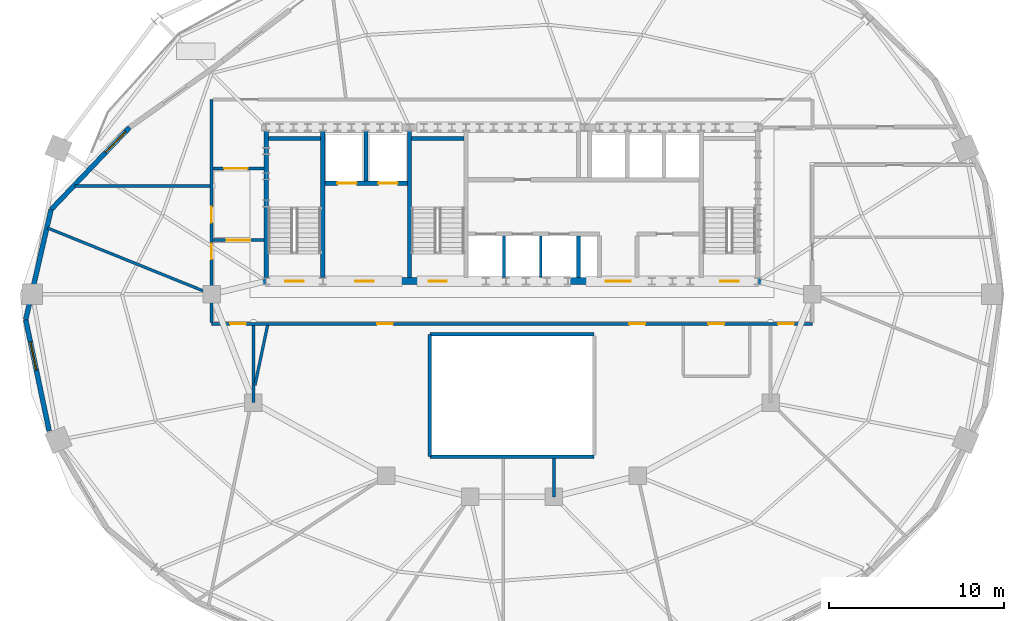
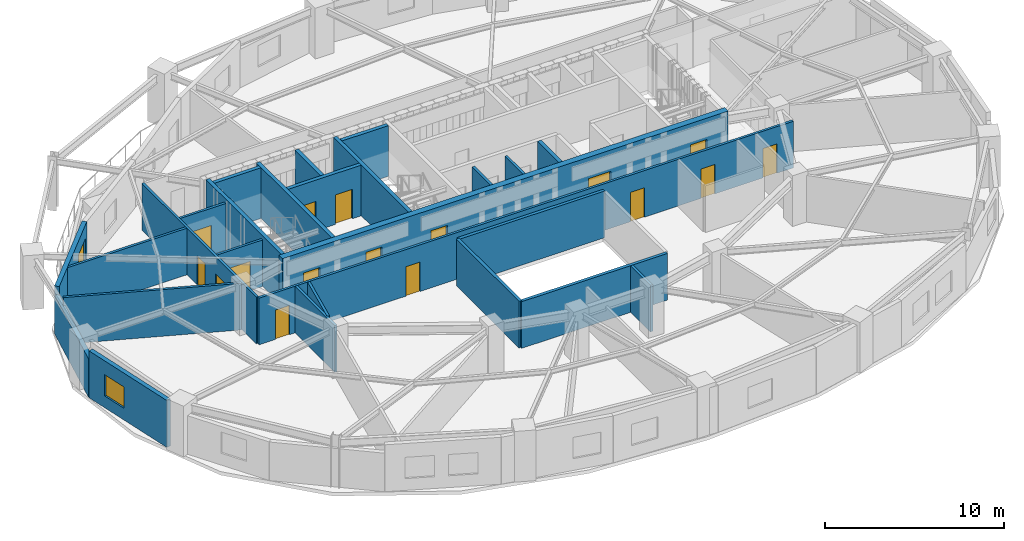
# One storey, part 4 of 10: 26 walls, 16 doors, 2 windows, 18 openings.
"""IFC4 building model written with IfcOpenShell, lengths in metres."""

from ifc_helpers import new_model, si_unit, direction, frame, frame_2d, origin, place, context, subcontext, project, spatial, rectangle, extrude, material, layer, layer_set, type_object, element, fill, save


model = new_model("IFC4")

# Units and contexts
model_context = context("Model", 3, precision=1e-05, world=origin(), true_north=direction((0.0, 1.0)))
body_context = subcontext(model_context, "Body", "Model", "MODEL_VIEW")
ifc_project = project(units=[si_unit("LENGTHUNIT", "METRE"), si_unit("AREAUNIT", "SQUARE_METRE"), si_unit("VOLUMEUNIT", "CUBIC_METRE"), si_unit("PLANEANGLEUNIT", "RADIAN"), si_unit("MASSUNIT", "GRAM", prefix="KILO")], contexts=[model_context])

# Site, building, storey
site_placement = place(None, origin())
site = spatial("IfcSite", under=ifc_project, at=site_placement, CompositionType="ELEMENT")
building_placement = place(site_placement, origin())
building = spatial("IfcBuilding", under=site, at=building_placement, Name="Haldorwick Loom Tower", CompositionType="ELEMENT")
storey_placement = place(building_placement, frame((0.0, 0.0, 185.5)))
storey = spatial("IfcBuildingStorey", under=building, at=storey_placement, Name="L50", CompositionType="ELEMENT", Elevation=185.5)

# Wall, opening, window
ifc_material_1 = material(Name="Pressed Clay Face Brick and Insulated Masonry Backup Assembly", Category="masonry")
ifc_layer_1 = layer(ifc_material_1, 0.280029296875, Name="Pressed Clay Face Brick and Insulated Masonry Backup Assembly", Category="masonry")
ifc_layer_set_1 = layer_set([ifc_layer_1], Name="Pressed Clay Face Brick and Insulated Masonry Backup Assembly")
wall_type_1 = type_object("IfcWallType", Name="ARC-WL-EXT280", PredefinedType="STANDARD", material=ifc_layer_set_1)
wall_1_placement = place(storey_placement, frame((14.106689453125, 35.55078125, 0.0), z_axis=(0.0, 0.0, 1.0), x_axis=(-0.690507858545, -0.723324890549, 0.0)))
wall_1 = element("IfcWall", 1, at=wall_1_placement, inside=storey, type_object=wall_type_1, Name="L50 Brick Pier and Spandrel Wall 11", PredefinedType="STANDARD", context=body_context, shape_type="SweptSolid", body=[
    extrude(rectangle(XDim=6.509521484375, YDim=0.280029296875, at=frame_2d((3.2548828125, 0.0))), origin(), (0.0, 0.0, 1.0), 3.18994140625),
])
opening_1_placement = place(wall_1_placement, frame((0.340087890625, 0.0, 0.800048828125)))
opening_1 = element("IfcOpeningElement", 2, at=opening_1_placement, cuts=wall_1, Name="Opening W-01B", PredefinedType="OPENING", context=body_context, shape_type="SweptSolid", body=[
    extrude(rectangle(XDim=1.64990234375, YDim=1.449951171875, at=frame_2d((0.824951171875, 0.72509765625))), frame((0.0, 0.14990234375, 0.0), z_axis=(0.0, -1.0, 0.0), x_axis=(1.0, 0.0, 0.0)), (0.0, 0.0, 1.0), 0.300048828125),
])
ifc_material_2 = material(Name="Triple-Glazed Low-E Argon Insulated Glazing Unit", Category="glass")
window_type = type_object("IfcWindowType", Name="ARC-WIN-W165", PartitioningType="SINGLE_PANEL", PredefinedType="WINDOW", material=ifc_material_2)
window_1_placement = place(opening_1_placement, origin())
window_1 = element("IfcWindow", 3, at=window_1_placement, inside=storey, type_object=window_type, Name="L50 Deep-Set Zone 7A Window 11", OverallHeight=1.449951171875, OverallWidth=1.64990234375, PartitioningType="SINGLE_PANEL", PredefinedType="WINDOW", context=body_context, shape_type="SweptSolid", body=[
    extrude(rectangle(XDim=1.64990234375, YDim=1.449951171875, at=frame_2d((0.824951171875, 0.72509765625))), frame((0.0, 0.030029296875, 0.0), z_axis=(0.0, -1.0, 0.0), x_axis=(1.0, 0.0, 0.0)), (0.0, 0.0, 1.0), 0.06005859375),
])
fill(opening_1, window_1)

# Wall
wall_2_placement = place(storey_placement, frame((9.61181640625, 30.84228515625, 0.0), z_axis=(0.0, 0.0, 1.0), x_axis=(-0.224743623091, -0.974417930808, 0.0)))
element("IfcWall", 4, at=wall_2_placement, inside=storey, type_object=wall_type_1, Name="L50 Brick Pier and Spandrel Wall 12", PredefinedType="STANDARD", context=body_context, shape_type="SweptSolid", body=[
    extrude(rectangle(XDim=6.46240234375, YDim=0.280029296875, at=frame_2d((3.231201171875, 0.0))), origin(), (0.0, 0.0, 1.0), 2.62109375),
])

# Wall, opening, window
wall_3_placement = place(storey_placement, frame((8.159423828125, 24.545166015625, 0.0), z_axis=(0.0, 0.0, 1.0), x_axis=(0.206601814819, -0.978425107054, 0.0)))
wall_3 = element("IfcWall", 5, at=wall_3_placement, inside=storey, type_object=wall_type_1, Name="L50 Brick Pier and Spandrel Wall 13", PredefinedType="STANDARD", context=body_context, shape_type="SweptSolid", body=[
    extrude(rectangle(XDim=6.51220703125, YDim=0.280029296875, at=frame_2d((3.256103515625, 0.0))), origin(), (0.0, 0.0, 1.0), 3.18994140625),
])
opening_2_placement = place(wall_3_placement, frame((1.2958984375, 0.0, 0.800048828125)))
opening_2 = element("IfcOpeningElement", 6, at=opening_2_placement, cuts=wall_3, Name="Opening W-01B", PredefinedType="OPENING", context=body_context, shape_type="SweptSolid", body=[
    extrude(rectangle(XDim=1.64990234375, YDim=1.449951171875, at=frame_2d((0.824951171875, 0.72509765625))), frame((0.0, 0.14990234375, 0.0), z_axis=(0.0, -1.0, 0.0), x_axis=(1.0, 0.0, 0.0)), (0.0, 0.0, 1.0), 0.300048828125),
])
window_2_placement = place(opening_2_placement, origin())
window_2 = element("IfcWindow", 7, at=window_2_placement, inside=storey, type_object=window_type, Name="L50 Deep-Set Zone 7A Window 13", OverallHeight=1.449951171875, OverallWidth=1.64990234375, PartitioningType="SINGLE_PANEL", PredefinedType="WINDOW", context=body_context, shape_type="SweptSolid", body=[
    extrude(rectangle(XDim=1.64990234375, YDim=1.449951171875, at=frame_2d((0.824951171875, 0.72509765625))), frame((0.0, 0.030029296875, 0.0), z_axis=(0.0, -1.0, 0.0), x_axis=(1.0, 0.0, 0.0)), (0.0, 0.0, 1.0), 0.06005859375),
])
fill(opening_2, window_2)

# Wall, openings, doors
ifc_material_3 = material(Name="Fire-Rated Type X Gypsum Stud Assembly EI 60")
ifc_layer_2 = layer(ifc_material_3, 0.159912109375, Name="Fire-Rated Type X Gypsum Stud Assembly EI 60")
ifc_layer_set_2 = layer_set([ifc_layer_2], Name="Fire-Rated Type X Gypsum Stud Assembly EI 60")
wall_type_2 = type_object("IfcWallType", Name="ARC-WL-FIRE160", PredefinedType="PARTITIONING", material=ifc_layer_set_2)
wall_4_placement = place(storey_placement, frame((18.800048828125, 24.300048828125, 0.0), z_axis=(0.0, 0.0, 1.0), x_axis=(1.0, 0.0, 0.0)))
wall_4 = element("IfcWall", 8, at=wall_4_placement, inside=storey, type_object=wall_type_2, Name="L50 Residential Fire Partition L50-CR-SP", PredefinedType="PARTITIONING", context=body_context, shape_type="SweptSolid", body=[
    extrude(rectangle(XDim=34.39990234375, YDim=0.159912109375, at=frame_2d((17.199951171875, 0.0))), origin(), (0.0, 0.0, 1.0), 3.175048828125),
])
opening_3_placement = place(wall_4_placement, frame((23.916748046875, 0.0, 0.0)))
opening_3 = element("IfcOpeningElement", 9, at=opening_3_placement, cuts=wall_4, Name="Opening D-FD60A", PredefinedType="OPENING", context=body_context, shape_type="SweptSolid", body=[
    extrude(rectangle(XDim=0.89990234375, YDim=2.0, at=frame_2d((0.449951171875, 1.0))), frame((0.0, 0.08984375, 0.0), z_axis=(0.0, -1.0, 0.0), x_axis=(1.0, 0.0, 0.0)), (0.0, 0.0, 1.0), 0.179931640625),
])
opening_4_placement = place(wall_4_placement, frame((9.47314453125, 0.0, 0.0)))
opening_4 = element("IfcOpeningElement", 10, at=opening_4_placement, cuts=wall_4, Name="Opening D-FD60A", PredefinedType="OPENING", context=body_context, shape_type="SweptSolid", body=[
    extrude(rectangle(XDim=0.89990234375, YDim=2.0, at=frame_2d((0.449951171875, 1.0))), frame((0.0, 0.08984375, 0.0), z_axis=(0.0, -1.0, 0.0), x_axis=(1.0, 0.0, 0.0)), (0.0, 0.0, 1.0), 0.179931640625),
])
opening_5_placement = place(wall_4_placement, frame((28.437255859375, 0.0, 0.0)))
opening_5 = element("IfcOpeningElement", 11, at=opening_5_placement, cuts=wall_4, Name="Opening D-FD60A", PredefinedType="OPENING", context=body_context, shape_type="SweptSolid", body=[
    extrude(rectangle(XDim=0.89990234375, YDim=2.0, at=frame_2d((0.449951171875, 1.0))), frame((0.0, 0.08984375, 0.0), z_axis=(0.0, -1.0, 0.0), x_axis=(1.0, 0.0, 0.0)), (0.0, 0.0, 1.0), 0.179931640625),
])
opening_6_placement = place(wall_4_placement, frame((1.063232421875, 0.0, 0.0)))
opening_6 = element("IfcOpeningElement", 12, at=opening_6_placement, cuts=wall_4, Name="Opening D-FD60A", PredefinedType="OPENING", context=body_context, shape_type="SweptSolid", body=[
    extrude(rectangle(XDim=0.89990234375, YDim=2.0, at=frame_2d((0.449951171875, 1.0))), frame((0.0, 0.08984375, 0.0), z_axis=(0.0, -1.0, 0.0), x_axis=(1.0, 0.0, 0.0)), (0.0, 0.0, 1.0), 0.179931640625),
])
opening_7_placement = place(wall_4_placement, frame((32.436767578125, 0.0, 0.0)))
opening_7 = element("IfcOpeningElement", 13, at=opening_7_placement, cuts=wall_4, Name="Opening D-FD60A", PredefinedType="OPENING", context=body_context, shape_type="SweptSolid", body=[
    extrude(rectangle(XDim=0.89990234375, YDim=2.0, at=frame_2d((0.449951171875, 1.0))), frame((0.0, 0.08984375, 0.0), z_axis=(0.0, -1.0, 0.0), x_axis=(1.0, 0.0, 0.0)), (0.0, 0.0, 1.0), 0.179931640625),
])
ifc_material_4 = material(Name="Hollow Steel Fire Door Assembly", Category="steel")
door_type_1 = type_object("IfcDoorType", Name="ARC-DR-FD60-90", OperationType="NOTDEFINED", PredefinedType="DOOR", material=ifc_material_4)
door_1_placement = place(opening_3_placement, origin())
door_1 = element("IfcDoor", 14, at=door_1_placement, inside=storey, type_object=door_type_1, Name="L50 L50 Central Residential Corridor to Shared Resident Dining Hall 1 Do", OperationType="SINGLE_SWING_RIGHT", OverallHeight=2.0, OverallWidth=0.89990234375, PredefinedType="DOOR", context=body_context, shape_type="SweptSolid", body=[
    extrude(rectangle(XDim=0.89990234375, YDim=2.0, at=frame_2d((0.449951171875, 1.0))), frame((0.0, 0.02490234375, 0.0), z_axis=(0.0, -1.0, 0.0), x_axis=(1.0, 0.0, 0.0)), (0.0, 0.0, 1.0), 0.050048828125),
])
fill(opening_3, door_1)
door_2_placement = place(opening_4_placement, origin())
door_2 = element("IfcDoor", 15, at=door_2_placement, inside=storey, type_object=door_type_1, Name="L50 L50 Central Residential Corridor to Shared Resident Dining Hall 8 Do", OperationType="SINGLE_SWING_LEFT", OverallHeight=2.0, OverallWidth=0.89990234375, PredefinedType="DOOR", context=body_context, shape_type="SweptSolid", body=[
    extrude(rectangle(XDim=0.89990234375, YDim=2.0, at=frame_2d((0.449951171875, 1.0))), frame((0.0, 0.02490234375, 0.0), z_axis=(0.0, -1.0, 0.0), x_axis=(1.0, 0.0, 0.0)), (0.0, 0.0, 1.0), 0.050048828125),
])
fill(opening_4, door_2)
door_3_placement = place(opening_5_placement, origin())
door_3 = element("IfcDoor", 16, at=door_3_placement, inside=storey, type_object=door_type_1, Name="L50 L50 Central Residential Corridor to Common Accessible WC Door", OperationType="SINGLE_SWING_LEFT", OverallHeight=2.0, OverallWidth=0.89990234375, PredefinedType="DOOR", context=body_context, shape_type="SweptSolid", body=[
    extrude(rectangle(XDim=0.89990234375, YDim=2.0, at=frame_2d((0.449951171875, 1.0))), frame((0.0, 0.02490234375, 0.0), z_axis=(0.0, -1.0, 0.0), x_axis=(1.0, 0.0, 0.0)), (0.0, 0.0, 1.0), 0.050048828125),
])
fill(opening_5, door_3)
door_4_placement = place(opening_6_placement, origin())
door_4 = element("IfcDoor", 17, at=door_4_placement, inside=storey, type_object=door_type_1, Name="L50 L50 Central Residential Corridor to Shared Resident Dining Hall 9 Do", OperationType="SINGLE_SWING_LEFT", OverallHeight=2.0, OverallWidth=0.89990234375, PredefinedType="DOOR", context=body_context, shape_type="SweptSolid", body=[
    extrude(rectangle(XDim=0.89990234375, YDim=2.0, at=frame_2d((0.449951171875, 1.0))), frame((0.0, 0.02490234375, 0.0), z_axis=(0.0, -1.0, 0.0), x_axis=(1.0, 0.0, 0.0)), (0.0, 0.0, 1.0), 0.050048828125),
])
fill(opening_6, door_4)
door_5_placement = place(opening_7_placement, origin())
door_5 = element("IfcDoor", 18, at=door_5_placement, inside=storey, type_object=door_type_1, Name="L50 L50 Central Residential Corridor to Shared Resident Dining Hall 1 Do", OperationType="SINGLE_SWING_RIGHT", OverallHeight=2.0, OverallWidth=0.89990234375, PredefinedType="DOOR", context=body_context, shape_type="SweptSolid", body=[
    extrude(rectangle(XDim=0.89990234375, YDim=2.0, at=frame_2d((0.449951171875, 1.0))), frame((0.0, 0.02490234375, 0.0), z_axis=(0.0, -1.0, 0.0), x_axis=(1.0, 0.0, 0.0)), (0.0, 0.0, 1.0), 0.050048828125),
])
fill(opening_7, door_5)

wall_5_placement = place(storey_placement, frame((18.800048828125, 24.383056640625, 0.0), z_axis=(0.0, 0.0, 1.0), x_axis=(0.0, 1.0, 0.0)))
wall_5 = element("IfcWall", 19, at=wall_5_placement, inside=storey, type_object=wall_type_2, Name="L50 Residential Fire Partition L50-CR-W0", PredefinedType="PARTITIONING", context=body_context, shape_type="SweptSolid", body=[
    extrude(rectangle(XDim=12.766845703125, YDim=0.159912109375, at=frame_2d((6.38330078125, 0.0))), origin(), (0.0, 0.0, 1.0), 3.175048828125),
])
opening_8_placement = place(wall_5_placement, frame((5.71337890625, 0.0, 0.0)))
opening_8 = element("IfcOpeningElement", 20, at=opening_8_placement, cuts=wall_5, Name="Opening D-FD60A", PredefinedType="OPENING", context=body_context, shape_type="SweptSolid", body=[
    extrude(rectangle(XDim=0.89990234375, YDim=2.0, at=frame_2d((0.449951171875, 1.0))), frame((0.0, 0.08984375, 0.0), z_axis=(0.0, -1.0, 0.0), x_axis=(1.0, 0.0, 0.0)), (0.0, 0.0, 1.0), 0.179931640625),
])
opening_9_placement = place(wall_5_placement, frame((3.62158203125, 0.0, 0.0)))
opening_9 = element("IfcOpeningElement", 21, at=opening_9_placement, cuts=wall_5, Name="Opening D-FD60A", PredefinedType="OPENING", context=body_context, shape_type="SweptSolid", body=[
    extrude(rectangle(XDim=0.89990234375, YDim=2.0, at=frame_2d((0.449951171875, 1.0))), frame((0.0, 0.08984375, 0.0), z_axis=(0.0, -1.0, 0.0), x_axis=(1.0, 0.0, 0.0)), (0.0, 0.0, 1.0), 0.179931640625),
])
door_6_placement = place(opening_8_placement, frame((0.89990234375, 0.0, 0.0), z_axis=(0.0, 0.0, 1.0), x_axis=(-1.0, 0.0, 0.0)))
door_6 = element("IfcDoor", 22, at=door_6_placement, inside=storey, type_object=door_type_1, Name="L50 Shared Dining Hall 3 to L50 West Residential Corridor Door", OperationType="SINGLE_SWING_LEFT", OverallHeight=2.0, OverallWidth=0.89990234375, PredefinedType="DOOR", context=body_context, shape_type="SweptSolid", body=[
    extrude(rectangle(XDim=0.89990234375, YDim=2.0, at=frame_2d((0.449951171875, 1.0))), frame((0.0, 0.02490234375, 0.0), z_axis=(0.0, -1.0, 0.0), x_axis=(1.0, 0.0, 0.0)), (0.0, 0.0, 1.0), 0.050048828125),
])
fill(opening_8, door_6)
door_7_placement = place(opening_9_placement, frame((0.89990234375, 0.0, 0.0), z_axis=(0.0, 0.0, 1.0), x_axis=(-1.0, 0.0, 0.0)))
door_7 = element("IfcDoor", 23, at=door_7_placement, inside=storey, type_object=door_type_1, Name="L50 Shared Dining Hall 3 to L50 Central Residential Corridor Door", OperationType="SINGLE_SWING_RIGHT", OverallHeight=2.0, OverallWidth=0.89990234375, PredefinedType="DOOR", context=body_context, shape_type="SweptSolid", body=[
    extrude(rectangle(XDim=0.89990234375, YDim=2.0, at=frame_2d((0.449951171875, 1.0))), frame((0.0, 0.02490234375, 0.0), z_axis=(0.0, -1.0, 0.0), x_axis=(1.0, 0.0, 0.0)), (0.0, 0.0, 1.0), 0.050048828125),
])
fill(opening_9, door_7)

# Wall, opening, door
wall_6_placement = place(storey_placement, frame((18.883056640625, 29.10009765625, 0.0), z_axis=(0.0, 0.0, 1.0), x_axis=(1.0, 0.0, 0.0)))
wall_6 = element("IfcWall", 24, at=wall_6_placement, inside=storey, type_object=wall_type_2, Name="L50 Residential Fire Partition L50-CR-WSJ", PredefinedType="PARTITIONING", context=body_context, shape_type="SweptSolid", body=[
    extrude(rectangle(XDim=2.923828125, YDim=0.159912109375, at=frame_2d((1.4619140625, 0.0))), origin(), (0.0, 0.0, 1.0), 3.175048828125),
])
opening_10_placement = place(wall_6_placement, frame((0.787109375, 0.0, 0.0)))
opening_10 = element("IfcOpeningElement", 25, at=opening_10_placement, cuts=wall_6, Name="Opening D-CR15", PredefinedType="OPENING", context=body_context, shape_type="SweptSolid", body=[
    extrude(rectangle(XDim=1.35009765625, YDim=2.0, at=frame_2d((0.675048828125, 1.0))), frame((0.0, 0.08984375, 0.0), z_axis=(0.0, -1.0, 0.0), x_axis=(1.0, 0.0, 0.0)), (0.0, 0.0, 1.0), 0.179931640625),
])
ifc_material_5 = material(Name="Thermally Broken Anodized Aluminium and Tempered Glass", Category="aluminium")
door_type_2 = type_object("IfcDoorType", Name="ARC-DR-COR150", OperationType="NOTDEFINED", PredefinedType="DOOR", material=ifc_material_5)
door_8_placement = place(opening_10_placement, origin())
door_8 = element("IfcDoor", 26, at=door_8_placement, inside=storey, type_object=door_type_2, Name="L50 L50 West Residential Corridor to L50 Central Residential Corridor Do", OperationType="DOUBLE_DOOR_SINGLE_SWING", OverallHeight=2.0, OverallWidth=1.35009765625, PredefinedType="DOOR", context=body_context, shape_type="SweptSolid", body=[
    extrude(rectangle(XDim=1.35009765625, YDim=2.0, at=frame_2d((0.675048828125, 1.0))), frame((0.0, 0.02490234375, 0.0), z_axis=(0.0, -1.0, 0.0), x_axis=(1.0, 0.0, 0.0)), (0.0, 0.0, 1.0), 0.050048828125),
])
fill(opening_10, door_8)

wall_7_placement = place(storey_placement, frame((18.883056640625, 33.199951171875, 0.0), z_axis=(0.0, 0.0, 1.0), x_axis=(1.0, 0.0, 0.0)))
wall_7 = element("IfcWall", 27, at=wall_7_placement, inside=storey, type_object=wall_type_2, Name="L50 Residential Fire Partition L50-CR-WNJ", PredefinedType="PARTITIONING", context=body_context, shape_type="SweptSolid", body=[
    extrude(rectangle(XDim=2.923828125, YDim=0.159912109375, at=frame_2d((1.4619140625, 0.0))), origin(), (0.0, 0.0, 1.0), 3.175048828125),
])
opening_11_placement = place(wall_7_placement, frame((0.637939453125, 0.0, 0.0)))
opening_11 = element("IfcOpeningElement", 28, at=opening_11_placement, cuts=wall_7, Name="Opening D-CR15", PredefinedType="OPENING", context=body_context, shape_type="SweptSolid", body=[
    extrude(rectangle(XDim=1.35009765625, YDim=2.0, at=frame_2d((0.675048828125, 1.0))), frame((0.0, 0.08984375, 0.0), z_axis=(0.0, -1.0, 0.0), x_axis=(1.0, 0.0, 0.0)), (0.0, 0.0, 1.0), 0.179931640625),
])
door_9_placement = place(opening_11_placement, origin())
door_9 = element("IfcDoor", 29, at=door_9_placement, inside=storey, type_object=door_type_2, Name="L50 L50 North Residential Corridor to L50 West Residential Corridor Door", OperationType="DOUBLE_DOOR_SINGLE_SWING", OverallHeight=2.0, OverallWidth=1.35009765625, PredefinedType="DOOR", context=body_context, shape_type="SweptSolid", body=[
    extrude(rectangle(XDim=1.35009765625, YDim=2.0, at=frame_2d((0.675048828125, 1.0))), frame((0.0, 0.02490234375, 0.0), z_axis=(0.0, -1.0, 0.0), x_axis=(1.0, 0.0, 0.0)), (0.0, 0.0, 1.0), 0.050048828125),
])
fill(opening_11, door_9)

# Walls
wall_8_placement = place(storey_placement, frame((18.717041015625, 26.033447265625, 0.0), z_axis=(0.0, 0.0, 1.0), x_axis=(-0.927183813809, 0.374606694295, 0.0)))
element("IfcWall", 30, at=wall_8_placement, inside=storey, type_object=wall_type_2, Name="L50 Residential Fire Partition L50-ICR-12", PredefinedType="PARTITIONING", context=body_context, shape_type="SweptSolid", body=[
    extrude(rectangle(XDim=10.031982421875, YDim=0.159912109375, at=frame_2d((5.01611328125, 0.0))), origin(), (0.0, 0.0, 1.0), 3.175048828125),
])
wall_9_placement = place(storey_placement, frame((38.39990234375, 16.596923828125, 0.0), z_axis=(0.0, 0.0, 1.0), x_axis=(0.0, -1.0, 0.0)))
element("IfcWall", 31, at=wall_9_placement, inside=storey, type_object=wall_type_2, Name="L50 Residential Fire Partition L50-ICA-06", PredefinedType="PARTITIONING", context=body_context, shape_type="SweptSolid", body=[
    extrude(rectangle(XDim=2.197021484375, YDim=0.159912109375, at=frame_2d((1.0986328125, 0.0))), origin(), (0.0, 0.0, 1.0), 3.175048828125),
])
wall_10_placement = place(storey_placement, frame((21.199951171875, 24.217041015625, 0.0), z_axis=(0.0, 0.0, 1.0), x_axis=(0.0, -1.0, 0.0)))
element("IfcWall", 32, at=wall_10_placement, inside=storey, type_object=wall_type_2, Name="L50 Residential Fire Partition L50-ICA-11", PredefinedType="PARTITIONING", context=body_context, shape_type="SweptSolid", body=[
    extrude(rectangle(XDim=4.4169921875, YDim=0.159912109375, at=frame_2d((2.20849609375, 0.0))), origin(), (0.0, 0.0, 1.0), 3.175048828125),
])
wall_11_placement = place(storey_placement, frame((10.969970703125, 32.199951171875, 0.0), z_axis=(0.0, 0.0, 1.0), x_axis=(1.0, 0.0, 0.0)))
element("IfcWall", 33, at=wall_11_placement, inside=storey, type_object=wall_type_2, Name="L50 Residential Fire Partition L50-FLW-16", PredefinedType="PARTITIONING", context=body_context, shape_type="SweptSolid", body=[
    extrude(rectangle(XDim=7.7470703125, YDim=0.159912109375, at=frame_2d((3.87353515625, 0.0))), origin(), (0.0, 0.0, 1.0), 3.175048828125),
])
wall_12_placement = place(storey_placement, frame((21.282958984375, 20.78662109375, 0.0), z_axis=(0.0, 0.0, 1.0), x_axis=(0.206270187806, 0.978495073888, 0.0)))
element("IfcWall", 34, at=wall_12_placement, inside=storey, type_object=wall_type_2, Name="L50 Suite Split Wall", PredefinedType="PARTITIONING", context=body_context, shape_type="SweptSolid", body=[
    extrude(rectangle(XDim=3.505859375, YDim=0.159912109375, at=frame_2d((1.7529296875, 0.0))), origin(), (0.0, 0.0, 1.0), 3.175048828125),
])
ifc_material_6 = material(Name="Fire-Rated Type X Gypsum Stud Assembly EI 120")
ifc_layer_3 = layer(ifc_material_6, 0.199951171875, Name="Fire-Rated Type X Gypsum Stud Assembly EI 120")
ifc_layer_set_3 = layer_set([ifc_layer_3], Name="Fire-Rated Type X Gypsum Stud Assembly EI 120")
wall_type_3 = type_object("IfcWallType", Name="ARC-WL-FIRE200", PredefinedType="PARTITIONING", material=ifc_layer_set_3)
for number, where, z_axis, x_axis, name in (
    (35, (31.300048828125, 23.699951171875, 0.0), (0.0, 0.0, 1.0), (1.0, 0.0, 0.0), "L50 Atrium Fire Enclosure Wall N"),
    (36, (40.699951171875, 16.699951171875, 0.0), (0.0, 0.0, 1.0), (-1.0, 0.0, 0.0), "L50 Atrium Fire Enclosure Wall S"),
):
    element("IfcWall", number, at=place(storey_placement, frame(where, z_axis=z_axis, x_axis=x_axis)), inside=storey, type_object=wall_type_3, Name=name, PredefinedType="PARTITIONING", context=body_context, shape_type="SweptSolid", body=[
        extrude(rectangle(XDim=9.39990234375, YDim=0.199951171875, at=frame_2d((4.699951171875, 0.0))), origin(), (0.0, 0.0, 1.0), 3.175048828125),
    ])
wall_13_placement = place(storey_placement, frame((31.300048828125, 16.699951171875, 0.0), z_axis=(0.0, 0.0, 1.0), x_axis=(0.0, 1.0, 0.0)))
element("IfcWall", 37, at=wall_13_placement, inside=storey, type_object=wall_type_3, Name="L50 Atrium Fire Enclosure Wall W", PredefinedType="PARTITIONING", context=body_context, shape_type="SweptSolid", body=[
    extrude(rectangle(XDim=7.0, YDim=0.199951171875, at=frame_2d((3.5, 0.0))), origin(), (0.0, 0.0, 1.0), 3.175048828125),
])
ifc_layer_4 = layer(ifc_material_6, 0.1650390625, Name="Fire-Rated Type X Gypsum Stud Assembly EI 120")
ifc_layer_set_4 = layer_set([ifc_layer_4], Name="Fire-Rated Type X Gypsum Stud Assembly EI 120")
wall_type_4 = type_object("IfcWallType", Name="ARC-WL-SHAFT160", PredefinedType="MOVABLE", material=ifc_layer_set_4)
for number, where, z_axis, x_axis, name in (
    (38, (35.550048828125, 26.952880859375, 0.0), (0.0, 0.0, 1.0), (0.0, 1.0, 0.0), "L50 Mid-Rise Hoistway Divider 1"),
    (39, (37.64990234375, 26.952880859375, 0.0), (0.0, 0.0, 1.0), (0.0, 1.0, 0.0), "L50 Mid-Rise Hoistway Divider 2"),
):
    element("IfcWall", number, at=place(storey_placement, frame(where, z_axis=z_axis, x_axis=x_axis)), inside=storey, type_object=wall_type_4, Name=name, PredefinedType="MOVABLE", context=body_context, shape_type="SweptSolid", body=[
        extrude(rectangle(XDim=2.3740234375, YDim=0.159912109375, at=frame_2d((1.18701171875, 0.0))), origin(), (0.0, 0.0, 1.0), 3.175048828125),
    ])

# Wall, openings, doors
ifc_material_7 = material(Name="Concrete C50 (50 MPa)", Category="concrete")
ifc_layer_5 = layer(ifc_material_7, 0.39990234375, Name="Concrete C50 (50 MPa)", Category="concrete")
ifc_layer_set_5 = layer_set([ifc_layer_5], Name="Concrete C50 (50 MPa)")
wall_type_5 = type_object("IfcWallType", Name="STR-WL-CORE400", PredefinedType="SHEAR", material=ifc_layer_set_5)
wall_14_placement = place(storey_placement, frame((21.64990234375, 26.75, 0.0), z_axis=(0.0, 0.0, 1.0), x_axis=(1.0, 0.0, 0.0)))
wall_14 = element("IfcWall", 40, at=wall_14_placement, inside=storey, type_object=wall_type_5, Name="L50 Core Shear Wall S", PredefinedType="SHEAR", context=body_context, shape_type="SweptSolid", body=[
    extrude(rectangle(XDim=28.7001953125, YDim=0.39990234375, at=frame_2d((14.35009765625, 0.0))), origin(), (0.0, 0.0, 1.0), 3.449951171875),
])
opening_12_placement = place(wall_14_placement, frame((1.375, 0.0, 0.0)))
opening_12 = element("IfcOpeningElement", 41, at=opening_12_placement, cuts=wall_14, Name="Opening D-FD60", PredefinedType="OPENING", context=body_context, shape_type="SweptSolid", body=[
    extrude(rectangle(XDim=1.050048828125, YDim=2.0, at=frame_2d((0.52490234375, 1.0))), frame((0.0, 0.2099609375, 0.0), z_axis=(0.0, -1.0, 0.0), x_axis=(1.0, 0.0, 0.0)), (0.0, 0.0, 1.0), 0.419921875),
])
opening_13_placement = place(wall_14_placement, frame((5.375, 0.0, 0.0)))
opening_13 = element("IfcOpeningElement", 42, at=opening_13_placement, cuts=wall_14, Name="Opening D-FD60", PredefinedType="OPENING", context=body_context, shape_type="SweptSolid", body=[
    extrude(rectangle(XDim=1.050048828125, YDim=2.0, at=frame_2d((0.52490234375, 1.0))), frame((0.0, 0.2099609375, 0.0), z_axis=(0.0, -1.0, 0.0), x_axis=(1.0, 0.0, 0.0)), (0.0, 0.0, 1.0), 0.419921875),
])
opening_14_placement = place(wall_14_placement, frame((9.574951171875, 0.0, 0.0)))
opening_14 = element("IfcOpeningElement", 43, at=opening_14_placement, cuts=wall_14, Name="Opening D-FD60", PredefinedType="OPENING", context=body_context, shape_type="SweptSolid", body=[
    extrude(rectangle(XDim=1.050048828125, YDim=2.0, at=frame_2d((0.52490234375, 1.0))), frame((0.0, 0.2099609375, 0.0), z_axis=(0.0, -1.0, 0.0), x_axis=(1.0, 0.0, 0.0)), (0.0, 0.0, 1.0), 0.419921875),
])
opening_15_placement = place(wall_14_placement, frame((19.705078125, 0.0, 0.0)))
opening_15 = element("IfcOpeningElement", 44, at=opening_15_placement, cuts=wall_14, Name="Opening D-LB15", PredefinedType="OPENING", context=body_context, shape_type="SweptSolid", body=[
    extrude(rectangle(XDim=1.449951171875, YDim=2.0, at=frame_2d((0.72509765625, 1.0))), frame((0.0, 0.2099609375, 0.0), z_axis=(0.0, -1.0, 0.0), x_axis=(1.0, 0.0, 0.0)), (0.0, 0.0, 1.0), 0.419921875),
])
opening_16_placement = place(wall_14_placement, frame((26.27490234375, 0.0, 0.0)))
opening_16 = element("IfcOpeningElement", 45, at=opening_16_placement, cuts=wall_14, Name="Opening D-FD60", PredefinedType="OPENING", context=body_context, shape_type="SweptSolid", body=[
    extrude(rectangle(XDim=1.050048828125, YDim=2.0, at=frame_2d((0.52490234375, 1.0))), frame((0.0, 0.2099609375, 0.0), z_axis=(0.0, -1.0, 0.0), x_axis=(1.0, 0.0, 0.0)), (0.0, 0.0, 1.0), 0.419921875),
])
door_type_3 = type_object("IfcDoorType", Name="ARC-DR-FD60", OperationType="NOTDEFINED", PredefinedType="DOOR", material=ifc_material_4)
door_10_placement = place(opening_12_placement, origin())
door_10 = element("IfcDoor", 46, at=door_10_placement, inside=storey, type_object=door_type_3, Name="L50 Exit Stair ST-01 Fire Door", OperationType="SINGLE_SWING_RIGHT", OverallHeight=2.0, OverallWidth=1.050048828125, PredefinedType="DOOR", context=body_context, shape_type="SweptSolid", body=[
    extrude(rectangle(XDim=1.050048828125, YDim=2.0, at=frame_2d((0.52490234375, 1.0))), frame((0.0, 0.02490234375, 0.0), z_axis=(0.0, -1.0, 0.0), x_axis=(1.0, 0.0, 0.0)), (0.0, 0.0, 1.0), 0.050048828125),
])
fill(opening_12, door_10)
door_11_placement = place(opening_13_placement, origin())
door_11 = element("IfcDoor", 47, at=door_11_placement, inside=storey, type_object=door_type_3, Name="L50 Firefighting Lift Lobby Fire Door", OperationType="SINGLE_SWING_LEFT", OverallHeight=2.0, OverallWidth=1.050048828125, PredefinedType="DOOR", context=body_context, shape_type="SweptSolid", body=[
    extrude(rectangle(XDim=1.050048828125, YDim=2.0, at=frame_2d((0.52490234375, 1.0))), frame((0.0, 0.02490234375, 0.0), z_axis=(0.0, -1.0, 0.0), x_axis=(1.0, 0.0, 0.0)), (0.0, 0.0, 1.0), 0.050048828125),
])
fill(opening_13, door_11)
door_12_placement = place(opening_14_placement, origin())
door_12 = element("IfcDoor", 48, at=door_12_placement, inside=storey, type_object=door_type_3, Name="L50 Exit Stair ST-03 Fire Door", OperationType="SINGLE_SWING_LEFT", OverallHeight=2.0, OverallWidth=1.050048828125, PredefinedType="DOOR", context=body_context, shape_type="SweptSolid", body=[
    extrude(rectangle(XDim=1.050048828125, YDim=2.0, at=frame_2d((0.52490234375, 1.0))), frame((0.0, 0.02490234375, 0.0), z_axis=(0.0, -1.0, 0.0), x_axis=(1.0, 0.0, 0.0)), (0.0, 0.0, 1.0), 0.050048828125),
])
fill(opening_14, door_12)
door_13_placement = place(opening_16_placement, origin())
door_13 = element("IfcDoor", 49, at=door_13_placement, inside=storey, type_object=door_type_3, Name="L50 Exit Stair ST-02 Fire Door", OperationType="SINGLE_SWING_LEFT", OverallHeight=2.0, OverallWidth=1.050048828125, PredefinedType="DOOR", context=body_context, shape_type="SweptSolid", body=[
    extrude(rectangle(XDim=1.050048828125, YDim=2.0, at=frame_2d((0.52490234375, 1.0))), frame((0.0, 0.02490234375, 0.0), z_axis=(0.0, -1.0, 0.0), x_axis=(1.0, 0.0, 0.0)), (0.0, 0.0, 1.0), 0.050048828125),
])
fill(opening_16, door_13)
door_type_4 = type_object("IfcDoorType", Name="ARC-DR-LOB150", OperationType="NOTDEFINED", PredefinedType="DOOR", material=ifc_material_5)
door_14_placement = place(opening_15_placement, frame((1.449951171875, 0.0, 0.0), z_axis=(0.0, 0.0, 1.0), x_axis=(-1.0, 0.0, 0.0)))
door_14 = element("IfcDoor", 50, at=door_14_placement, inside=storey, type_object=door_type_4, Name="L50 Passenger Lift Lobby Fire Door", OperationType="DOUBLE_DOOR_SINGLE_SWING", OverallHeight=2.0, OverallWidth=1.449951171875, PredefinedType="DOOR", context=body_context, shape_type="SweptSolid", body=[
    extrude(rectangle(XDim=1.449951171875, YDim=2.0, at=frame_2d((0.72509765625, 1.0))), frame((0.0, 0.02490234375, 0.0), z_axis=(0.0, -1.0, 0.0), x_axis=(1.0, 0.0, 0.0)), (0.0, 0.0, 1.0), 0.050048828125),
])
fill(opening_15, door_14)

# Walls
ifc_layer_6 = layer(ifc_material_7, 0.239990234375, Name="Concrete C50 (50 MPa)", Category="concrete")
ifc_layer_set_6 = layer_set([ifc_layer_6], Name="Concrete C50 (50 MPa)")
wall_type_6 = type_object("IfcWallType", Name="STR-WL-SHAFT240", PredefinedType="SHEAR", material=ifc_layer_set_6)
for number, where, z_axis, x_axis, name in (
    (51, (21.929931640625, 35.346923828125, 0.0), (0.0, 0.0, 1.0), (0.0, -1.0, 0.0), "L50 Core Shear Wall W"),
    (52, (25.169921875, 26.952880859375, 0.0), (0.0, 0.0, 1.0), (0.0, 1.0, 0.0), "L50 Core Shear Wall 1"),
):
    element("IfcWall", number, at=place(storey_placement, frame(where, z_axis=z_axis, x_axis=x_axis)), inside=storey, type_object=wall_type_6, Name=name, PredefinedType="SHEAR", context=body_context, shape_type="SweptSolid", body=[
        extrude(rectangle(XDim=8.39404296875, YDim=0.239990234375, at=frame_2d((4.197021484375, 0.0))), origin(), (0.0, 0.0, 1.0), 3.449951171875),
    ])
wall_15_placement = place(storey_placement, frame((22.052978515625, 34.919921875, 0.0), z_axis=(0.0, 0.0, 1.0), x_axis=(1.0, 0.0, 0.0)))
element("IfcWall", 53, at=wall_15_placement, inside=storey, type_object=wall_type_6, Name="L50 Core Shear Wall 1N", PredefinedType="SHEAR", context=body_context, shape_type="SweptSolid", body=[
    extrude(rectangle(XDim=2.994140625, YDim=0.239990234375, at=frame_2d((1.4970703125, 0.0))), origin(), (0.0, 0.0, 1.0), 3.449951171875),
])
wall_16_placement = place(storey_placement, frame((30.1298828125, 26.952880859375, 0.0), z_axis=(0.0, 0.0, 1.0), x_axis=(0.0, 1.0, 0.0)))
element("IfcWall", 54, at=wall_16_placement, inside=storey, type_object=wall_type_6, Name="L50 Core Shear Wall 2", PredefinedType="SHEAR", context=body_context, shape_type="SweptSolid", body=[
    extrude(rectangle(XDim=8.39404296875, YDim=0.239990234375, at=frame_2d((4.197021484375, 0.0))), origin(), (0.0, 0.0, 1.0), 3.449951171875),
])
wall_17_placement = place(storey_placement, frame((30.2529296875, 34.919921875, 0.0), z_axis=(0.0, 0.0, 1.0), x_axis=(1.0, 0.0, 0.0)))
element("IfcWall", 55, at=wall_17_placement, inside=storey, type_object=wall_type_6, Name="L50 Core Shear Wall 3N", PredefinedType="SHEAR", context=body_context, shape_type="SweptSolid", body=[
    extrude(rectangle(XDim=2.994140625, YDim=0.239990234375, at=frame_2d((1.4970703125, 0.0))), origin(), (0.0, 0.0, 1.0), 3.449951171875),
])

# Wall, openings, doors
wall_18_placement = place(storey_placement, frame((25.29296875, 32.35009765625, 0.0), z_axis=(0.0, 0.0, 1.0), x_axis=(1.0, 0.0, 0.0)))
wall_18 = element("IfcWall", 56, at=wall_18_placement, inside=storey, type_object=wall_type_6, Name="L50 Core Shear Wall FF", PredefinedType="SHEAR", context=body_context, shape_type="SweptSolid", body=[
    extrude(rectangle(XDim=4.714111328125, YDim=0.239990234375, at=frame_2d((2.35693359375, 0.0))), origin(), (0.0, 0.0, 1.0), 3.449951171875),
])
opening_17_placement = place(wall_18_placement, frame((0.70703125, 0.0, 0.0)))
opening_17 = element("IfcOpeningElement", 57, at=opening_17_placement, cuts=wall_18, Name="Opening LD-FF1", PredefinedType="OPENING", context=body_context, shape_type="SweptSolid", body=[
    extrude(rectangle(XDim=1.10009765625, YDim=2.0, at=frame_2d((0.550048828125, 1.0))), frame((0.0, 0.1298828125, 0.0), z_axis=(0.0, -1.0, 0.0), x_axis=(1.0, 0.0, 0.0)), (0.0, 0.0, 1.0), 0.260009765625),
])
opening_18_placement = place(wall_18_placement, frame((3.056884765625, 0.0, 0.0)))
opening_18 = element("IfcOpeningElement", 58, at=opening_18_placement, cuts=wall_18, Name="Opening LD-FF2", PredefinedType="OPENING", context=body_context, shape_type="SweptSolid", body=[
    extrude(rectangle(XDim=1.10009765625, YDim=2.0, at=frame_2d((0.550048828125, 1.0))), frame((0.0, 0.1298828125, 0.0), z_axis=(0.0, -1.0, 0.0), x_axis=(1.0, 0.0, 0.0)), (0.0, 0.0, 1.0), 0.260009765625),
])
door_type_5 = type_object("IfcDoorType", Name="ARC-DR-LD-FF", OperationType="NOTDEFINED", PredefinedType="USERDEFINED", material=ifc_material_4)
door_15_placement = place(opening_17_placement, origin())
door_15 = element("IfcDoor", 59, at=door_15_placement, inside=storey, type_object=door_type_5, Name="L50 Lift LF-FF1 Sliding Landing Door", ObjectType="LANDING DOOR", OperationType="DOUBLE_DOOR_SLIDING", OverallHeight=2.0, OverallWidth=1.10009765625, PredefinedType="USERDEFINED", context=body_context, shape_type="SweptSolid", body=[
    extrude(rectangle(XDim=1.10009765625, YDim=2.0, at=frame_2d((0.550048828125, 1.0))), frame((0.0, 0.02490234375, 0.0), z_axis=(0.0, -1.0, 0.0), x_axis=(1.0, 0.0, 0.0)), (0.0, 0.0, 1.0), 0.050048828125),
])
fill(opening_17, door_15)
door_16_placement = place(opening_18_placement, origin())
door_16 = element("IfcDoor", 60, at=door_16_placement, inside=storey, type_object=door_type_5, Name="L50 Lift LF-FF2 Sliding Landing Door", ObjectType="LANDING DOOR", OperationType="DOUBLE_DOOR_SLIDING", OverallHeight=2.0, OverallWidth=1.10009765625, PredefinedType="USERDEFINED", context=body_context, shape_type="SweptSolid", body=[
    extrude(rectangle(XDim=1.10009765625, YDim=2.0, at=frame_2d((0.550048828125, 1.0))), frame((0.0, 0.02490234375, 0.0), z_axis=(0.0, -1.0, 0.0), x_axis=(1.0, 0.0, 0.0)), (0.0, 0.0, 1.0), 0.050048828125),
])
fill(opening_18, door_16)

# Walls
wall_19_placement = place(storey_placement, frame((27.64990234375, 32.472900390625, 0.0), z_axis=(0.0, 0.0, 1.0), x_axis=(0.0, 1.0, 0.0)))
element("IfcWall", 61, at=wall_19_placement, inside=storey, type_object=wall_type_6, Name="L50 Core Shear Wall FFD", PredefinedType="SHEAR", context=body_context, shape_type="SweptSolid", body=[
    extrude(rectangle(XDim=2.8740234375, YDim=0.239990234375, at=frame_2d((1.43701171875, 0.0))), origin(), (0.0, 0.0, 1.0), 3.449951171875),
])
wall_20_placement = place(storey_placement, frame((39.800048828125, 26.952880859375, 0.0), z_axis=(0.0, 0.0, 1.0), x_axis=(0.0, 1.0, 0.0)))
element("IfcWall", 62, at=wall_20_placement, inside=storey, type_object=wall_type_6, Name="L50 Core Shear Wall MRW", PredefinedType="SHEAR", context=body_context, shape_type="SweptSolid", body=[
    extrude(rectangle(XDim=2.3740234375, YDim=0.239990234375, at=frame_2d((1.18701171875, 0.0))), origin(), (0.0, 0.0, 1.0), 3.449951171875),
])

save(model, "model.ifc")
